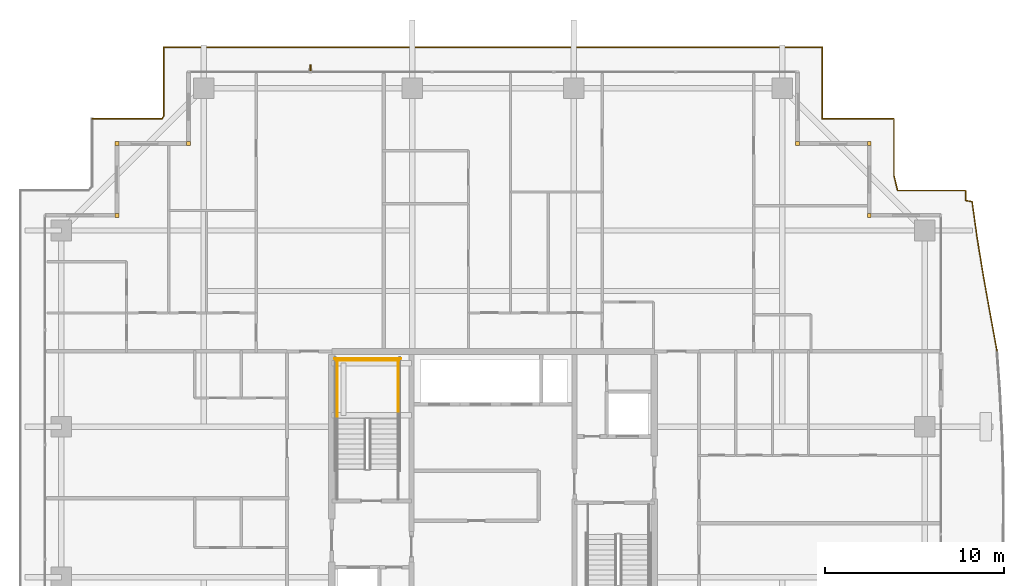
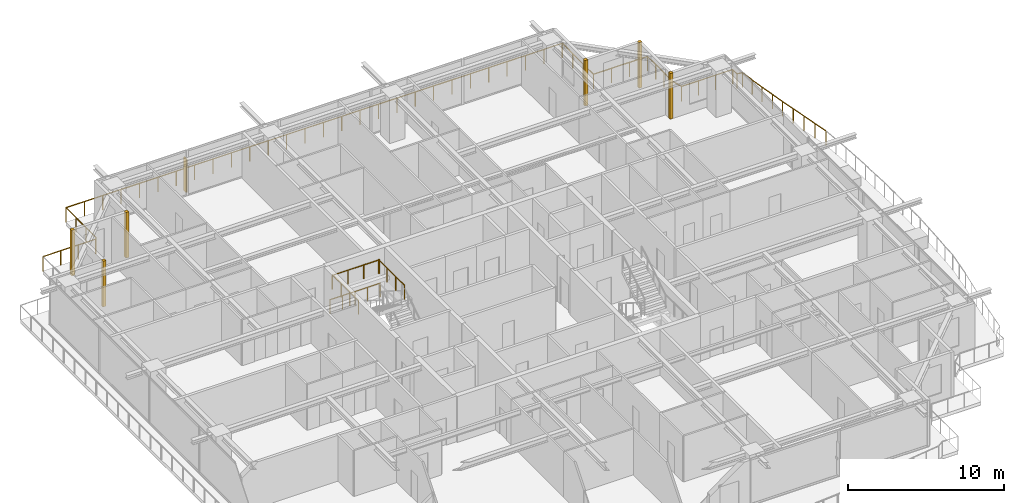
# One storey, part 38 of 38: 6 coverings, 6 railings, 1 shading device.
"""IFC4 building model written with IfcOpenShell, lengths in metres."""

from ifc_helpers import new_model, si_unit, direction, frame, origin, origin_2d, place, context, subcontext, project, spatial, rectangle, circle, extrude, source, transform, mapped, material, layer, layer_set, type_object, element, save


model = new_model("IFC4")

# Units and contexts
model_context = context("Model", 3, precision=1e-05, world=origin(), true_north=direction((0.0, 1.0)))
body_context = subcontext(model_context, "Body", "Model", "MODEL_VIEW")
ifc_project = project(units=[si_unit("LENGTHUNIT", "METRE"), si_unit("AREAUNIT", "SQUARE_METRE"), si_unit("VOLUMEUNIT", "CUBIC_METRE"), si_unit("PLANEANGLEUNIT", "RADIAN"), si_unit("MASSUNIT", "GRAM", prefix="KILO")], contexts=[model_context])

# Site, building, storey
site_placement = place(None, origin())
site = spatial("IfcSite", under=ifc_project, at=site_placement, CompositionType="ELEMENT")
building_placement = place(site_placement, origin())
building = spatial("IfcBuilding", under=site, at=building_placement, Name="Serunith Strait Residences", CompositionType="ELEMENT")
storey_placement = place(building_placement, frame((0.0, 0.0, 229.699951171875)))
storey = spatial("IfcBuildingStorey", under=building, at=storey_placement, Name="L57", CompositionType="ELEMENT", Elevation=229.699951171875)

# Railings
ifc_material_1 = material(Name="Stainless Steel & Laminated Glass Balustrade", Category="steel")
railing_type_1 = type_object("IfcRailingType", Name="RLG-BALC-1150", PredefinedType="BALUSTRADE", material=ifc_material_1)
railing_1_placement = place(storey_placement, frame((10.02001953125, 46.580078125, -0.050048828125)))
element("IfcRailing", 1, at=railing_1_placement, inside=storey, type_object=railing_type_1, Name="L57 Swirling Balcony Perimeter Balustrade 2", PredefinedType="BALUSTRADE", context=body_context, shape_type="SweptSolid", body=[
    extrude(circle(Radius=0.02392578125, at=origin_2d()), frame((0.001953125, 0.0, 1.1259765625), z_axis=(1.0, 0.0, 0.0), x_axis=(0.0, 1.0, 0.0)), (0.0, 0.0, 1.0), 3.89501953125),
    extrude(circle(Radius=0.02392578125, at=origin_2d()), frame((3.89990234375, 0.001708984375, 1.1259765625), z_axis=(0.547356223896, 0.836899733638, 0.0), x_axis=(-0.836899733638, 0.547356223896, 0.0)), (0.0, 0.0, 1.0), 0.1806640625),
    extrude(circle(Radius=0.02392578125, at=origin_2d()), frame((4.0, 0.156494140625, 1.1259765625), z_axis=(0.0, 1.0, 0.0), x_axis=(-1.0, 0.0, 0.0)), (0.0, 0.0, 1.0), 3.841552734375),
    extrude(circle(Radius=0.02392578125, at=origin_2d()), frame((4.001953125, 4.0, 1.1259765625), z_axis=(1.0, 0.0, 0.0), x_axis=(0.0, 1.0, 0.0)), (0.0, 0.0, 1.0), 36.756103515625),
    extrude(circle(Radius=0.02392578125, at=origin_2d()), frame((40.760009765625, 3.998046875, 1.1259765625), z_axis=(0.0, -1.0, 0.0), x_axis=(1.0, 0.0, 0.0)), (0.0, 0.0, 1.0), 3.99609375),
    extrude(circle(Radius=0.02392578125, at=origin_2d()), frame((40.761962890625, 0.0, 1.1259765625), z_axis=(1.0, 0.0, 0.0), x_axis=(0.0, 1.0, 0.0)), (0.0, 0.0, 1.0), 3.99609375),
    extrude(circle(Radius=0.02392578125, at=origin_2d()), frame((44.760009765625, -0.001953125, 1.1259765625), z_axis=(0.0, -1.0, 0.0), x_axis=(1.0, 0.0, 0.0)), (0.0, 0.0, 1.0), 3.161865234375),
    extrude(circle(Radius=0.02392578125, at=origin_2d()), frame((44.760498046875, -3.167724609375, 1.1259765625), z_axis=(0.236308041514, -0.971678192364, 0.0), x_axis=(0.971678192364, 0.236308041514, 0.0)), (0.0, 0.0, 1.0), 0.8544921875),
    extrude(circle(Radius=0.02099609375, at=origin_2d()), origin(), (0.0, 0.0, 1.0), 1.099853515625),
    extrude(circle(Radius=0.02099609375, at=origin_2d()), frame((1.299560546875, 0.0, 0.0)), (0.0, 0.0, 1.0), 1.099853515625),
    extrude(circle(Radius=0.02099609375, at=origin_2d()), frame((2.599365234375, 0.0, 0.0)), (0.0, 0.0, 1.0), 1.099853515625),
    extrude(circle(Radius=0.02099609375, at=origin_2d()), frame((3.89892578125, 0.0, 0.0)), (0.0, 0.0, 1.0), 1.099853515625),
    extrude(circle(Radius=0.02099609375, at=origin_2d()), frame((4.0, 0.154541015625, 0.0)), (0.0, 0.0, 1.0), 1.099853515625),
    extrude(circle(Radius=0.02099609375, at=origin_2d()), frame((4.0, 1.436279296875, 0.0)), (0.0, 0.0, 1.0), 1.099853515625),
    extrude(circle(Radius=0.02099609375, at=origin_2d()), frame((4.0, 2.71826171875, 0.0)), (0.0, 0.0, 1.0), 1.099853515625),
    extrude(circle(Radius=0.02099609375, at=origin_2d()), frame((4.0, 4.0, 0.0)), (0.0, 0.0, 1.0), 1.099853515625),
    extrude(circle(Radius=0.02099609375, at=origin_2d()), frame((5.361572265625, 4.0, 0.0)), (0.0, 0.0, 1.0), 1.099853515625),
    extrude(circle(Radius=0.02099609375, at=origin_2d()), frame((6.722900390625, 4.0, 0.0)), (0.0, 0.0, 1.0), 1.099853515625),
    extrude(circle(Radius=0.02099609375, at=origin_2d()), frame((8.08447265625, 4.0, 0.0)), (0.0, 0.0, 1.0), 1.099853515625),
    extrude(circle(Radius=0.02099609375, at=origin_2d()), frame((9.446044921875, 4.0, 0.0)), (0.0, 0.0, 1.0), 1.099853515625),
    extrude(circle(Radius=0.02099609375, at=origin_2d()), frame((10.807373046875, 4.0, 0.0)), (0.0, 0.0, 1.0), 1.099853515625),
    extrude(circle(Radius=0.02099609375, at=origin_2d()), frame((12.1689453125, 4.0, 0.0)), (0.0, 0.0, 1.0), 1.099853515625),
    extrude(circle(Radius=0.02099609375, at=origin_2d()), frame((13.5302734375, 4.0, 0.0)), (0.0, 0.0, 1.0), 1.099853515625),
    extrude(circle(Radius=0.02099609375, at=origin_2d()), frame((14.891845703125, 4.0, 0.0)), (0.0, 0.0, 1.0), 1.099853515625),
    extrude(circle(Radius=0.02099609375, at=origin_2d()), frame((16.25341796875, 4.0, 0.0)), (0.0, 0.0, 1.0), 1.099853515625),
    extrude(circle(Radius=0.02099609375, at=origin_2d()), frame((17.61474609375, 4.0, 0.0)), (0.0, 0.0, 1.0), 1.099853515625),
    extrude(circle(Radius=0.02099609375, at=origin_2d()), frame((18.976318359375, 4.0, 0.0)), (0.0, 0.0, 1.0), 1.099853515625),
    extrude(circle(Radius=0.02099609375, at=origin_2d()), frame((20.337890625, 4.0, 0.0)), (0.0, 0.0, 1.0), 1.099853515625),
    extrude(circle(Radius=0.02099609375, at=origin_2d()), frame((21.69921875, 4.0, 0.0)), (0.0, 0.0, 1.0), 1.099853515625),
    extrude(circle(Radius=0.02099609375, at=origin_2d()), frame((23.060791015625, 4.0, 0.0)), (0.0, 0.0, 1.0), 1.099853515625),
    extrude(circle(Radius=0.02099609375, at=origin_2d()), frame((24.422119140625, 4.0, 0.0)), (0.0, 0.0, 1.0), 1.099853515625),
    extrude(circle(Radius=0.02099609375, at=origin_2d()), frame((25.78369140625, 4.0, 0.0)), (0.0, 0.0, 1.0), 1.099853515625),
    extrude(circle(Radius=0.02099609375, at=origin_2d()), frame((27.145263671875, 4.0, 0.0)), (0.0, 0.0, 1.0), 1.099853515625),
    extrude(circle(Radius=0.02099609375, at=origin_2d()), frame((28.506591796875, 4.0, 0.0)), (0.0, 0.0, 1.0), 1.099853515625),
    extrude(circle(Radius=0.02099609375, at=origin_2d()), frame((29.8681640625, 4.0, 0.0)), (0.0, 0.0, 1.0), 1.099853515625),
    extrude(circle(Radius=0.02099609375, at=origin_2d()), frame((31.229736328125, 4.0, 0.0)), (0.0, 0.0, 1.0), 1.099853515625),
    extrude(circle(Radius=0.02099609375, at=origin_2d()), frame((32.591064453125, 4.0, 0.0)), (0.0, 0.0, 1.0), 1.099853515625),
    extrude(circle(Radius=0.02099609375, at=origin_2d()), frame((33.95263671875, 4.0, 0.0)), (0.0, 0.0, 1.0), 1.099853515625),
    extrude(circle(Radius=0.02099609375, at=origin_2d()), frame((35.31396484375, 4.0, 0.0)), (0.0, 0.0, 1.0), 1.099853515625),
    extrude(circle(Radius=0.02099609375, at=origin_2d()), frame((36.675537109375, 4.0, 0.0)), (0.0, 0.0, 1.0), 1.099853515625),
    extrude(circle(Radius=0.02099609375, at=origin_2d()), frame((38.037109375, 4.0, 0.0)), (0.0, 0.0, 1.0), 1.099853515625),
    extrude(circle(Radius=0.02099609375, at=origin_2d()), frame((39.3984375, 4.0, 0.0)), (0.0, 0.0, 1.0), 1.099853515625),
    extrude(circle(Radius=0.02099609375, at=origin_2d()), frame((40.760009765625, 4.0, 0.0)), (0.0, 0.0, 1.0), 1.099853515625),
    extrude(circle(Radius=0.02099609375, at=origin_2d()), frame((40.760009765625, 2.666748046875, 0.0)), (0.0, 0.0, 1.0), 1.099853515625),
    extrude(circle(Radius=0.02099609375, at=origin_2d()), frame((40.760009765625, 1.333251953125, 0.0)), (0.0, 0.0, 1.0), 1.099853515625),
    extrude(circle(Radius=0.02099609375, at=origin_2d()), frame((40.760009765625, 0.0, 0.0)), (0.0, 0.0, 1.0), 1.099853515625),
    extrude(circle(Radius=0.02099609375, at=origin_2d()), frame((42.09326171875, 0.0, 0.0)), (0.0, 0.0, 1.0), 1.099853515625),
    extrude(circle(Radius=0.02099609375, at=origin_2d()), frame((43.4267578125, 0.0, 0.0)), (0.0, 0.0, 1.0), 1.099853515625),
    extrude(circle(Radius=0.02099609375, at=origin_2d()), frame((44.760009765625, 0.0, 0.0)), (0.0, 0.0, 1.0), 1.099853515625),
    extrude(circle(Radius=0.02099609375, at=origin_2d()), frame((44.760009765625, -1.05517578125, 0.0)), (0.0, 0.0, 1.0), 1.099853515625),
    extrude(circle(Radius=0.02099609375, at=origin_2d()), frame((44.760009765625, -2.110595703125, 0.0)), (0.0, 0.0, 1.0), 1.099853515625),
    extrude(circle(Radius=0.02099609375, at=origin_2d()), frame((44.760009765625, -3.165771484375, 0.0)), (0.0, 0.0, 1.0), 1.099853515625),
    extrude(circle(Radius=0.02099609375, at=origin_2d()), frame((44.962890625, -4.0, 0.0)), (0.0, 0.0, 1.0), 1.099853515625),
])
railing_2_placement = place(storey_placement, frame((54.98291015625, 42.580078125, -0.050048828125)))
element("IfcRailing", 2, at=railing_2_placement, inside=storey, type_object=railing_type_1, Name="L57 Swirling Balcony Perimeter Balustrade 3", PredefinedType="BALUSTRADE", context=body_context, shape_type="SweptSolid", body=[
    extrude(circle(Radius=0.02392578125, at=origin_2d()), frame((0.001953125, 0.0, 1.1259765625), z_axis=(1.0, 0.0, 0.0), x_axis=(0.0, 1.0, 0.0)), (0.0, 0.0, 1.0), 3.793212890625),
    extrude(circle(Radius=0.02392578125, at=origin_2d()), frame((3.797119140625, -0.001953125, 1.1259765625), z_axis=(0.0, -1.0, 0.0), x_axis=(1.0, 0.0, 0.0)), (0.0, 0.0, 1.0), 0.554931640625),
    extrude(circle(Radius=0.02392578125, at=origin_2d()), frame((3.799072265625, -0.55908203125, 1.1259765625), z_axis=(0.986016013844, -0.166650593889, 0.0), x_axis=(0.166650593889, 0.986016013844, 0.0)), (0.0, 0.0, 1.0), 0.365234375),
    extrude(circle(Radius=0.02392578125, at=origin_2d()), frame((4.161376953125, -0.622314453125, 1.1259765625), z_axis=(0.137435301298, -0.990510746008, 0.0), x_axis=(0.990510746008, 0.137435301298, 0.0)), (0.0, 0.0, 1.0), 2.0458984375),
    extrude(circle(Radius=0.02392578125, at=origin_2d()), frame((4.443115234375, -2.65283203125, 1.1259765625), z_axis=(0.160609105594, -0.987018092641, 0.0), x_axis=(0.987018092641, 0.160609105594, 0.0)), (0.0, 0.0, 1.0), 2.075439453125),
    extrude(circle(Radius=0.02392578125, at=origin_2d()), frame((4.777099609375, -4.705322265625, 1.1259765625), z_axis=(0.17674113663, -0.984257370114, 0.0), x_axis=(0.984257370114, 0.17674113663, 0.0)), (0.0, 0.0, 1.0), 2.12060546875),
    extrude(circle(Radius=0.02392578125, at=origin_2d()), frame((5.152587890625, -6.79638671875, 1.1259765625), z_axis=(0.179849920462, -0.983694061235, 0.0), x_axis=(0.983694061235, 0.179849920462, 0.0)), (0.0, 0.0, 1.0), 2.1787109375),
    extrude(circle(Radius=0.02099609375, at=origin_2d()), origin(), (0.0, 0.0, 1.0), 1.099853515625),
    extrude(circle(Radius=0.02099609375, at=origin_2d()), frame((1.265625, 0.0, 0.0)), (0.0, 0.0, 1.0), 1.099853515625),
    extrude(circle(Radius=0.02099609375, at=origin_2d()), frame((2.531494140625, 0.0, 0.0)), (0.0, 0.0, 1.0), 1.099853515625),
    extrude(circle(Radius=0.02099609375, at=origin_2d()), frame((3.797119140625, 0.0, 0.0)), (0.0, 0.0, 1.0), 1.099853515625),
    extrude(circle(Radius=0.02099609375, at=origin_2d()), frame((3.797119140625, -0.558837890625, 0.0)), (0.0, 0.0, 1.0), 1.099853515625),
    extrude(circle(Radius=0.02099609375, at=origin_2d()), frame((4.1611328125, -0.620361328125, 0.0)), (0.0, 0.0, 1.0), 1.099853515625),
    extrude(circle(Radius=0.02099609375, at=origin_2d()), frame((4.302001953125, -1.6357421875, 0.0)), (0.0, 0.0, 1.0), 1.099853515625),
    extrude(circle(Radius=0.02099609375, at=origin_2d()), frame((4.44287109375, -2.65087890625, 0.0)), (0.0, 0.0, 1.0), 1.099853515625),
    extrude(circle(Radius=0.02099609375, at=origin_2d()), frame((4.60986328125, -3.67724609375, 0.0)), (0.0, 0.0, 1.0), 1.099853515625),
    extrude(circle(Radius=0.02099609375, at=origin_2d()), frame((4.77685546875, -4.703369140625, 0.0)), (0.0, 0.0, 1.0), 1.099853515625),
    extrude(circle(Radius=0.02099609375, at=origin_2d()), frame((4.964599609375, -5.7490234375, 0.0)), (0.0, 0.0, 1.0), 1.099853515625),
    extrude(circle(Radius=0.02099609375, at=origin_2d()), frame((5.15234375, -6.79443359375, 0.0)), (0.0, 0.0, 1.0), 1.099853515625),
    extrude(circle(Radius=0.02099609375, at=origin_2d()), frame((5.3486328125, -7.8681640625, 0.0)), (0.0, 0.0, 1.0), 1.099853515625),
    extrude(circle(Radius=0.02099609375, at=origin_2d()), frame((5.544921875, -8.941650390625, 0.0)), (0.0, 0.0, 1.0), 1.099853515625),
])
ifc_material_2 = material(Name="Brushed stainless steel 316L", Category="steel")
railing_type_2 = type_object("IfcRailingType", Name="RLG-STAIR-GUARD", PredefinedType="BALUSTRADE", material=ifc_material_2)
for number, where, name in (
    (3, (27.10009765625, 29.830078125, 1.925048828125), "L57 ST-1 stair guard 3"),
    (4, (23.699951171875, 29.830078125, 1.925048828125), "L57 ST-1 stair guard 4"),
):
    element("IfcRailing", number, at=place(storey_placement, frame(where)), inside=storey, type_object=railing_type_2, Name=name, PredefinedType="BALUSTRADE", context=body_context, shape_type="SweptSolid", body=[
        extrude(circle(Radius=0.02392578125, at=origin_2d()), frame((0.0, 0.001953125, 1.076171875), z_axis=(0.0, 1.0, 0.0), x_axis=(-1.0, 0.0, 0.0)), (0.0, 0.0, 1.0), 3.31591796875),
        extrude(circle(Radius=0.02099609375, at=origin_2d()), origin(), (0.0, 0.0, 1.0), 1.050048828125),
        extrude(circle(Radius=0.02099609375, at=origin_2d()), frame((0.0, 1.106689453125, 0.0)), (0.0, 0.0, 1.0), 1.050048828125),
        extrude(circle(Radius=0.02099609375, at=origin_2d()), frame((0.0, 2.213134765625, 0.0)), (0.0, 0.0, 1.0), 1.050048828125),
        extrude(circle(Radius=0.02099609375, at=origin_2d()), frame((0.0, 3.31982421875, 0.0)), (0.0, 0.0, 1.0), 1.050048828125),
    ])
railing_3_placement = place(storey_placement, frame((27.14990234375, 33.10009765625, 1.925048828125)))
element("IfcRailing", 5, at=railing_3_placement, inside=storey, type_object=railing_type_2, Name="L57 ST-1 stair guard 5", PredefinedType="BALUSTRADE", context=body_context, shape_type="SweptSolid", body=[
    extrude(circle(Radius=0.02392578125, at=origin_2d()), frame((-0.001953125, 0.0, 1.076171875), z_axis=(-1.0, 0.0, 0.0), x_axis=(0.0, -1.0, 0.0)), (0.0, 0.0, 1.0), 3.49609375),
    extrude(circle(Radius=0.02099609375, at=origin_2d()), origin(), (0.0, 0.0, 1.0), 1.050048828125),
    extrude(circle(Radius=0.02099609375, at=origin_2d()), frame((-1.166748046875, 0.0, 0.0)), (0.0, 0.0, 1.0), 1.050048828125),
    extrude(circle(Radius=0.02099609375, at=origin_2d()), frame((-2.333251953125, 0.0, 0.0)), (0.0, 0.0, 1.0), 1.050048828125),
    extrude(circle(Radius=0.02099609375, at=origin_2d()), frame((-3.5, 0.0, 0.0)), (0.0, 0.0, 1.0), 1.050048828125),
])
railing_4_placement = place(storey_placement, frame((27.25, 33.199951171875, 0.0)))
element("IfcRailing", 6, at=railing_4_placement, inside=storey, type_object=railing_type_2, Name="L57 ST-1 stair guard 12", PredefinedType="BALUSTRADE", context=body_context, shape_type="SweptSolid", body=[
    extrude(circle(Radius=0.02392578125, at=origin_2d()), frame((-0.001953125, 0.0, 1.076171875), z_axis=(-1.0, 0.0, 0.0), x_axis=(0.0, -1.0, 0.0)), (0.0, 0.0, 1.0), 3.696044921875),
    extrude(circle(Radius=0.02099609375, at=origin_2d()), origin(), (0.0, 0.0, 1.0), 1.050048828125),
    extrude(circle(Radius=0.02099609375, at=origin_2d()), frame((-0.925048828125, 0.0, 0.0)), (0.0, 0.0, 1.0), 1.050048828125),
    extrude(circle(Radius=0.02099609375, at=origin_2d()), frame((-1.85009765625, 0.0, 0.0)), (0.0, 0.0, 1.0), 1.050048828125),
    extrude(circle(Radius=0.02099609375, at=origin_2d()), frame((-2.77490234375, 0.0, 0.0)), (0.0, 0.0, 1.0), 1.050048828125),
    extrude(circle(Radius=0.02099609375, at=origin_2d()), frame((-3.699951171875, 0.0, 0.0)), (0.0, 0.0, 1.0), 1.050048828125),
])

# Shading device
ifc_material_3 = material(Name="Pale-Champagne Perforated Aluminium Fin", Category="aluminium")
shading_device_type = type_object("IfcShadingDeviceType", Name="SHD-DIAG-FIN", PredefinedType="AWNING", material=ifc_material_3)
shared_shape_1 = source(origin(), body_context, "Body", "SweptSolid", [
    extrude(rectangle(XDim=0.080078125, YDim=0.35009765625, at=origin_2d()), origin(), (0.0, 0.0, 1.0), 2.60009765625),
])
shading_device_placement = place(storey_placement, frame((22.199951171875, 49.419921875, 0.199951171875), z_axis=(0.0, 0.0, 1.0), x_axis=(1.0, 0.0, 0.0)))
element("IfcShadingDevice", 7, at=shading_device_placement, inside=storey, type_object=shading_device_type, Name="L57 Diagonal Rhythm Solar Fin N", PredefinedType="AWNING", context=body_context, shape_type="MappedRepresentation", body=[
    mapped(shared_shape_1, transform((0.0, 0.0, 0.0), scale=1.0)),
])

# Coverings
ifc_material_4 = material(Name="Pale-Champagne Anodised Aluminium", Category="aluminium")
ifc_layer = layer(ifc_material_4, 0.219970703125, Name="Pale-Champagne Anodised Aluminium")
ifc_layer_set = layer_set([ifc_layer], Name="Pale-Champagne Anodised Aluminium")
covering_type = type_object("IfcCoveringType", Name="COV-CORN-TRIM", PredefinedType="CLADDING", material=ifc_layer_set)
shared_shape_2 = source(origin(), body_context, "Body", "SweptSolid", [
    extrude(rectangle(XDim=0.221923828125, YDim=0.221923828125, at=origin_2d()), origin(), (0.0, 0.0, 1.0), 3.574951171875),
])
for number, where, z_axis, x_axis, name in (
    (8, (53.39990234375, 41.199951171875, 0.0), (0.0, 0.0, 1.0), (1.0, 0.0, 0.0), "L57 Girih Serrated Corner Trim Post 07"),
    (9, (53.39990234375, 45.199951171875, 0.0), (0.0, 0.0, 1.0), (1.0, 0.0, 0.0), "L57 Girih Serrated Corner Trim Post 08"),
    (10, (49.39990234375, 45.199951171875, 0.0), (0.0, 0.0, 1.0), (1.0, 0.0, 0.0), "L57 Girih Serrated Corner Trim Post 09"),
    (11, (15.39990234375, 45.199951171875, 0.0), (0.0, 0.0, 1.0), (1.0, 0.0, 0.0), "L57 Girih Serrated Corner Trim Post 12"),
    (12, (11.39990234375, 45.199951171875, 0.0), (0.0, 0.0, 1.0), (1.0, 0.0, 0.0), "L57 Girih Serrated Corner Trim Post 13"),
    (13, (11.39990234375, 41.199951171875, 0.0), (0.0, 0.0, 1.0), (1.0, 0.0, 0.0), "L57 Girih Serrated Corner Trim Post 14"),
):
    element("IfcCovering", number, at=place(storey_placement, frame(where, z_axis=z_axis, x_axis=x_axis)), inside=storey, type_object=covering_type, Name=name, PredefinedType="CLADDING", context=body_context, shape_type="MappedRepresentation", body=[
        mapped(shared_shape_2, transform((0.0, 0.0, 0.0), scale=1.0)),
    ])

save(model, "model.ifc")
